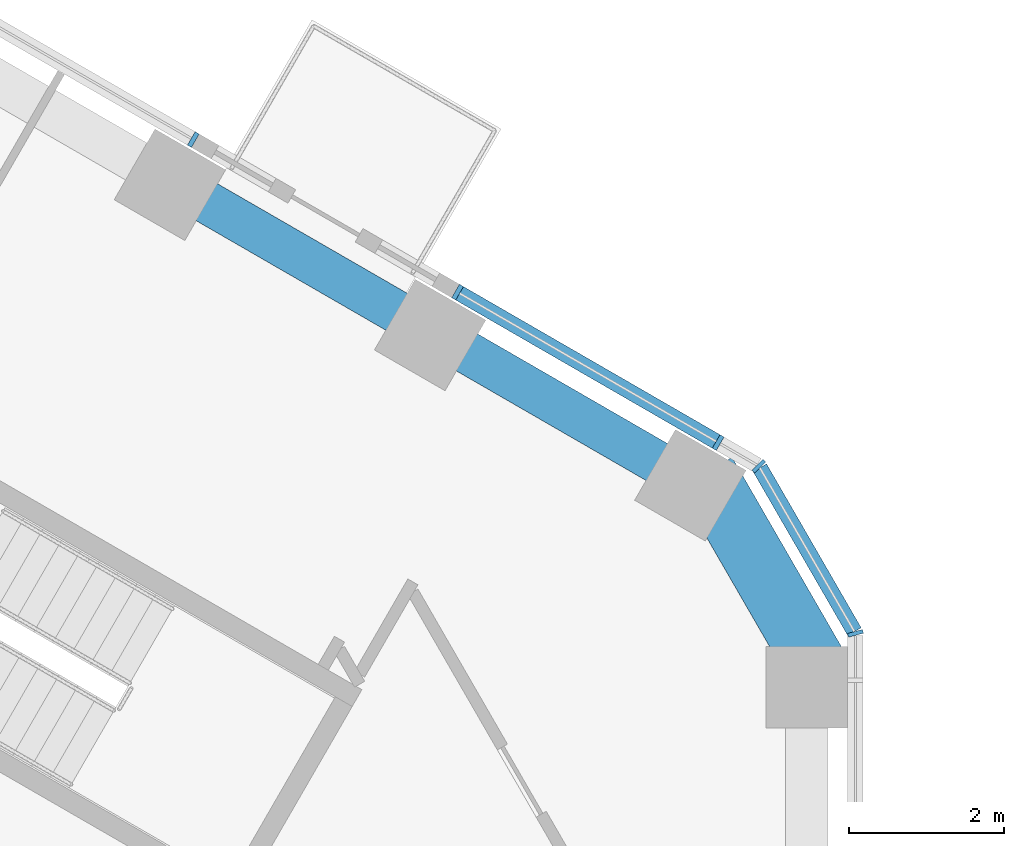
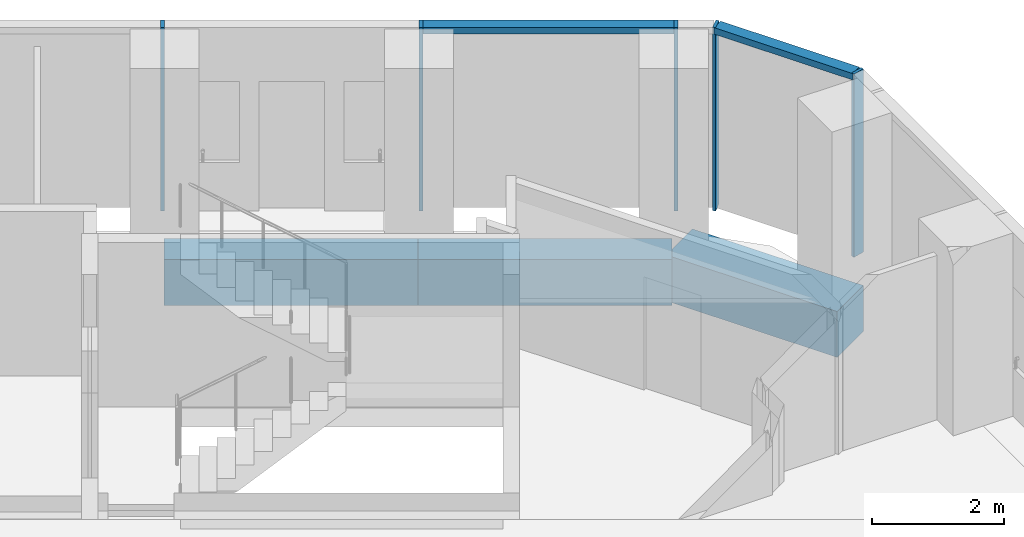
# One storey, part 7 of 20: 7 members, 3 beams, 3 elements without a shape of their own.
"""IFC4 building model written with IfcOpenShell, lengths in metres."""

from ifc_helpers import new_model, si_unit, direction, frame, origin, origin_2d, place, context, subcontext, project, spatial, rectangle, extrude, material, layer, layer_set, material_profile, profile_set, type_object, element, aggregate, save


model = new_model("IFC4")

# Units and contexts
model_context = context("Model", 3, precision=1e-05, world=origin(), true_north=direction((0.0, 1.0)))
body_context = subcontext(model_context, "Body", "Model", "MODEL_VIEW")
ifc_project = project(units=[si_unit("LENGTHUNIT", "METRE"), si_unit("AREAUNIT", "SQUARE_METRE"), si_unit("VOLUMEUNIT", "CUBIC_METRE"), si_unit("PLANEANGLEUNIT", "RADIAN"), si_unit("MASSUNIT", "GRAM", prefix="KILO")], contexts=[model_context])

# Site, building, storey
site_placement = place(None, origin())
site = spatial("IfcSite", under=ifc_project, at=site_placement, CompositionType="ELEMENT")
building_placement = place(site_placement, origin())
building = spatial("IfcBuilding", under=site, at=building_placement, Name="Ayvan Gate Tower", CompositionType="ELEMENT")
storey_placement = place(building_placement, frame((0.0, 0.0, 96.699951171875)))
storey = spatial("IfcBuildingStorey", under=building, at=storey_placement, Name="L25", CompositionType="ELEMENT", Elevation=96.699951171875)

# Beams
ifc_material_1 = material(Name="Concrete C40/50", Category="concrete")
ifc_material_profile_1 = material_profile(ifc_material_1, rectangle(XDim=0.800048828125, YDim=0.85009765625, at=origin_2d()), Name="RC 800x850")
ifc_profile_set_1 = profile_set([ifc_material_profile_1], Name="Concrete C40/50")
beam_type_1 = type_object("IfcBeamType", Name="Corner spandrel beam RC 800x850 C40/50", PredefinedType="BEAM", material=ifc_profile_set_1)
beam_1_placement = place(storey_placement, frame((19.676025390625, 9.369384765625, -0.77490234375), z_axis=(-0.499990139034, 0.866031096941, 0.0), x_axis=(-0.866031096941, -0.499990139034, 0.0)))
element("IfcBeam", 1, at=beam_1_placement, inside=storey, type_object=beam_type_1, Name="SB-L25-6", PredefinedType="BEAM", context=body_context, shape_type="SweptSolid", body=[
    extrude(rectangle(XDim=0.800048828125, YDim=0.85009765625, at=origin_2d()), origin(), (0.0, 0.0, 1.0), 3.0),
])
ifc_material_profile_2 = material_profile(ifc_material_1, rectangle(XDim=0.550048828125, YDim=0.85009765625, at=origin_2d()), Name="RC 550x850")
ifc_profile_set_2 = profile_set([ifc_material_profile_2], Name="Concrete C40/50")
beam_type_2 = type_object("IfcBeamType", Name="Spandrel beam RC 550x850 C40/50", PredefinedType="BEAM", material=ifc_profile_set_2)
beam_2_placement = place(storey_placement, frame((17.985595703125, 11.857421875, -0.77490234375), z_axis=(-0.8660191159, 0.500010890777, 0.0), x_axis=(-0.500010890777, -0.8660191159, 0.0)))
element("IfcBeam", 2, at=beam_2_placement, inside=storey, type_object=beam_type_2, Name="SB-L25-7", PredefinedType="BEAM", context=body_context, shape_type="SweptSolid", body=[
    extrude(rectangle(XDim=0.550048828125, YDim=0.85009765625, at=origin_2d()), origin(), (0.0, 0.0, 1.0), 3.85888671875),
])
beam_3_placement = place(storey_placement, frame((14.643798828125, 13.786865234375, -0.77490234375), z_axis=(-0.866034932412, 0.49998349557, 0.0), x_axis=(-0.49998349557, -0.866034932412, 0.0)))
element("IfcBeam", 3, at=beam_3_placement, inside=storey, type_object=beam_type_2, Name="SB-L25-8", PredefinedType="BEAM", context=body_context, shape_type="SweptSolid", body=[
    extrude(rectangle(XDim=0.550048828125, YDim=0.85009765625, at=origin_2d()), origin(), (0.0, 0.0, 1.0), 3.859130859375),
])

# Curtain wall, members
ifc_material_2 = material(Name="Bronze anodised aluminium", Category="aluminium")
ifc_layer_1 = layer(ifc_material_2, 0.199951171875)
ifc_layer_set_1 = layer_set([ifc_layer_1], Name="Bronze anodised aluminium")
curtain_wall_type_1 = type_object("IfcCurtainWallType", Name="Stick curtain wall CW-1", PredefinedType="NOTDEFINED", material=ifc_layer_set_1)
curtain_wall_1_placement = place(storey_placement, origin())
curtain_wall_1 = element("IfcCurtainWall", 4, at=curtain_wall_1_placement, inside=storey, type_object=curtain_wall_type_1, Name="Stick curtain wall CW-1 L25", PredefinedType="NOTDEFINED")
ifc_material_profile_3 = material_profile(ifc_material_2, rectangle(XDim=0.199951171875, YDim=0.06005859375, at=origin_2d()), Name="Stick curtain wall CW-1 mullion 200 x 60")
ifc_profile_set_3 = profile_set([ifc_material_profile_3], Name="Bronze anodised aluminium")
member_type_1 = type_object("IfcMemberType", Name="Stick curtain wall CW-1 mullion 200 x 60", PredefinedType="MULLION", material=ifc_profile_set_3)
member_1_placement = place(storey_placement, frame((18.34326171875, 12.35693359375, 0.0), z_axis=(0.0, 0.0, 1.0), x_axis=(0.5, 0.866025403784, 0.0)))
member_1 = element("IfcMember", 5, at=member_1_placement, type_object=member_type_1, Name="CW-1 mullion 1", PredefinedType="MULLION", context=body_context, shape_type="SweptSolid", body=[
    extrude(rectangle(XDim=0.199951171875, YDim=0.06005859375, at=origin_2d()), origin(), (0.0, 0.0, 1.0), 3.400146484375),
])
member_2_placement = place(storey_placement, frame((14.98828125, 14.2939453125, 0.0), z_axis=(0.0, 0.0, 1.0), x_axis=(0.5, 0.866025403784, 0.0)))
member_2 = element("IfcMember", 6, at=member_2_placement, type_object=member_type_1, Name="CW-1 mullion 2", PredefinedType="MULLION", context=body_context, shape_type="SweptSolid", body=[
    extrude(rectangle(XDim=0.199951171875, YDim=0.06005859375, at=origin_2d()), origin(), (0.0, 0.0, 1.0), 3.400146484375),
])

# Curtain wall, member
curtain_wall_2_placement = place(storey_placement, origin())
curtain_wall_2 = element("IfcCurtainWall", 7, at=curtain_wall_2_placement, inside=storey, type_object=curtain_wall_type_1, Name="Stick curtain wall CW-1 L25", PredefinedType="NOTDEFINED")
member_3_placement = place(storey_placement, frame((11.585693359375, 16.258544921875, 0.0), z_axis=(0.0, 0.0, 1.0), x_axis=(0.5, 0.866025403784, 0.0)))
member_3 = element("IfcMember", 8, at=member_3_placement, type_object=member_type_1, Name="CW-1 mullion 1", PredefinedType="MULLION", context=body_context, shape_type="SweptSolid", body=[
    extrude(rectangle(XDim=0.199951171875, YDim=0.06005859375, at=origin_2d()), origin(), (0.0, 0.0, 1.0), 3.400146484375),
])
aggregate(curtain_wall_2, [member_3])

# Member
ifc_material_profile_4 = material_profile(ifc_material_2, rectangle(XDim=0.199951171875, YDim=0.1201171875, at=origin_2d()), Name="Stick curtain wall CW-1 transom 200 x 120")
ifc_profile_set_4 = profile_set([ifc_material_profile_4], Name="Bronze anodised aluminium")
member_type_2 = type_object("IfcMemberType", Name="Stick curtain wall CW-1 transom 200 x 120", PredefinedType="USERDEFINED", material=ifc_profile_set_4)
member_4_placement = place(storey_placement, frame((18.34326171875, 12.35693359375, 3.340087890625), z_axis=(-0.866023968381, 0.500002486184, 0.0), x_axis=(-0.500002486184, -0.866023968381, 0.0)))
member_4 = element("IfcMember", 9, at=member_4_placement, type_object=member_type_2, Name="CW-1 transom 1", ObjectType="TRANSOM", PredefinedType="USERDEFINED", context=body_context, shape_type="SweptSolid", body=[
    extrude(rectangle(XDim=0.199951171875, YDim=0.1201171875, at=origin_2d()), origin(), (0.0, 0.0, 1.0), 3.8740234375),
])

aggregate(curtain_wall_1, [member_1, member_2, member_4])

# Curtain wall, members
ifc_layer_2 = layer(ifc_material_2, 0.199951171875)
ifc_layer_set_2 = layer_set([ifc_layer_2], Name="Bronze anodised aluminium")
curtain_wall_type_2 = type_object("IfcCurtainWallType", Name="Stick curtain wall CW-6", PredefinedType="NOTDEFINED", material=ifc_layer_set_2)
curtain_wall_3_placement = place(storey_placement, origin())
curtain_wall_3 = element("IfcCurtainWall", 10, at=curtain_wall_3_placement, inside=storey, type_object=curtain_wall_type_2, Name="Stick curtain wall CW-6 L25", PredefinedType="NOTDEFINED")
ifc_material_profile_5 = material_profile(ifc_material_2, rectangle(XDim=0.199951171875, YDim=0.050048828125, at=origin_2d()), Name="Stick curtain wall CW-6 mullion 200 x 50")
ifc_profile_set_5 = profile_set([ifc_material_profile_5], Name="Bronze anodised aluminium")
member_type_3 = type_object("IfcMemberType", Name="Stick curtain wall CW-6 mullion 200 x 50", PredefinedType="MULLION", material=ifc_profile_set_5)
member_5_placement = place(storey_placement, frame((20.110595703125, 9.901123046875, 0.0), z_axis=(0.0, 0.0, 1.0), x_axis=(0.965925826289, 0.258819045103, 0.0)))
member_5 = element("IfcMember", 11, at=member_5_placement, type_object=member_type_3, Name="CW-6 mullion 2", PredefinedType="MULLION", context=body_context, shape_type="SweptSolid", body=[
    extrude(rectangle(XDim=0.199951171875, YDim=0.050048828125, at=origin_2d()), origin(), (0.0, 0.0, 1.0), 3.400146484375),
])
member_6_placement = place(storey_placement, frame((18.8671875, 12.054443359375, 0.0), z_axis=(0.0, 0.0, 1.0), x_axis=(0.707106781187, 0.707106781187, 0.0)))
member_6 = element("IfcMember", 12, at=member_6_placement, type_object=member_type_3, Name="CW-6 mullion 3", PredefinedType="MULLION", context=body_context, shape_type="SweptSolid", body=[
    extrude(rectangle(XDim=0.199951171875, YDim=0.050048828125, at=origin_2d()), origin(), (0.0, 0.0, 1.0), 3.400146484375),
])
ifc_material_profile_6 = material_profile(ifc_material_2, rectangle(XDim=0.199951171875, YDim=0.1201171875, at=origin_2d()), Name="Stick curtain wall CW-6 transom 200 x 120")
ifc_profile_set_6 = profile_set([ifc_material_profile_6], Name="Bronze anodised aluminium")
member_type_4 = type_object("IfcMemberType", Name="Stick curtain wall CW-6 transom 200 x 120", PredefinedType="USERDEFINED", material=ifc_profile_set_6)
member_7_placement = place(storey_placement, frame((20.09814453125, 9.9228515625, 3.340087890625), z_axis=(-0.499997116, 0.866027068856, 0.0), x_axis=(-0.866027068856, -0.499997116, 0.0)))
member_7 = element("IfcMember", 13, at=member_7_placement, type_object=member_type_4, Name="CW-6 transom 2", ObjectType="TRANSOM", PredefinedType="USERDEFINED", context=body_context, shape_type="SweptSolid", body=[
    extrude(rectangle(XDim=0.199951171875, YDim=0.1201171875, at=origin_2d()), origin(), (0.0, 0.0, 1.0), 2.4365234375),
])
aggregate(curtain_wall_3, [member_5, member_6, member_7])

save(model, "model.ifc")
